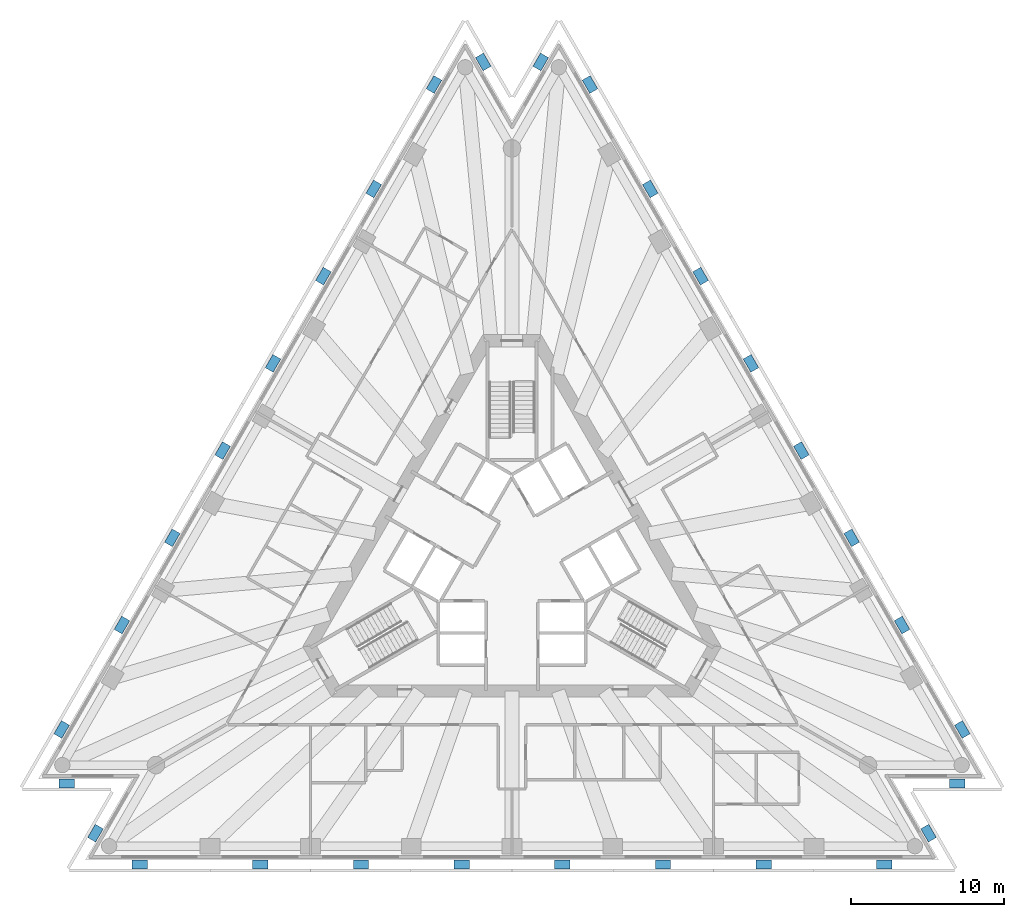
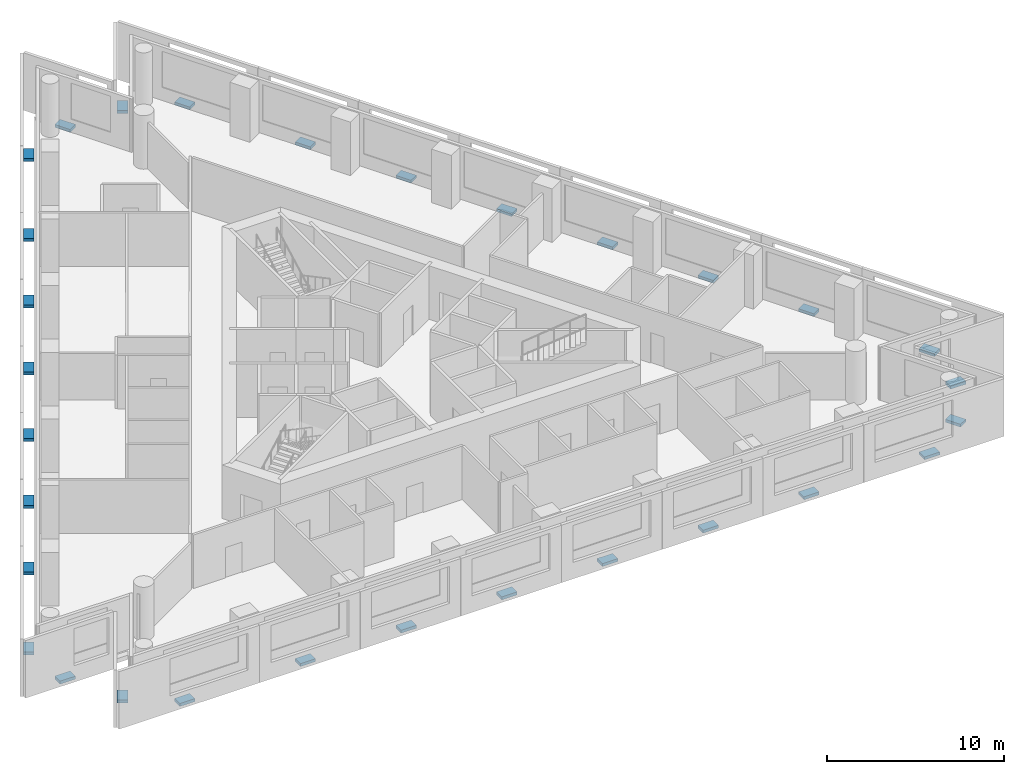
# One storey, part 8 of 10: 30 discrete accessories.
"""IFC4 building model written with IfcOpenShell, lengths in metres."""

import ifcopenshell
import ifcopenshell.guid

model = None  # the IFC model being written
_history = None  # IfcOwnerHistory: only IFC2X3 demands one
_inside = {}  # id of a spatial element -> (the spatial element, [elements in it])
_under = {}  # id of a project, library or spatial element -> (it, [spatial elements below it])
_declared = {}  # id of a project -> (the project, [libraries it declares])
_typed = {}  # id of a type object -> (the type object, [elements of that type])
_made_of = {}  # id of a material, layer set ... -> (it, [elements and type objects made of it])


def new_model(schema):
    """Start an empty IFC model of exactly this schema.

    Asked for "IFC4X3", IfcOpenShell would pick the latest addendum, in which some entities
    have other attributes; the version numbers below select the first issue.
    IFC2X3 requires an IfcOwnerHistory on every rooted entity: one is made here for all.
    """
    global model, _history
    if schema == "IFC4X3":
        model = ifcopenshell.file(schema_version=(4, 3, 0, 0))
    else:
        model = ifcopenshell.file(schema=schema)
    _inside.clear()
    _under.clear()
    _declared.clear()
    _typed.clear()
    _made_of.clear()
    _history = None
    if model.schema == "IFC2X3":
        org = make("IfcOrganization", Name="unknown")
        user = make(
            "IfcPersonAndOrganization",
            ThePerson=make("IfcPerson", FamilyName="unknown"),
            TheOrganization=org,
        )
        app = make(
            "IfcApplication",
            ApplicationDeveloper=org,
            Version="unknown",
            ApplicationFullName="unknown",
            ApplicationIdentifier="unknown",
        )
        _history = make(
            "IfcOwnerHistory",
            OwningUser=user,
            OwningApplication=app,
            ChangeAction="ADDED",
            CreationDate=0,
        )
    return model


def make(cls, **values):
    """One entity of the class cls with the attributes given. An attribute that is None is left unset."""
    return model.create_entity(
        cls, **{name: value for name, value in values.items() if value is not None}
    )


def rooted(cls, **values):
    """An entity with a GlobalId (a new one), such as an element, a storey or a relation."""
    return make(cls, GlobalId=ifcopenshell.guid.new(), OwnerHistory=_history, **values)


def si_unit(unit_type, name, prefix=None):
    """IfcSIUnit, for example si_unit("LENGTHUNIT", "METRE", prefix="MILLI")."""
    return make("IfcSIUnit", UnitType=unit_type, Prefix=prefix, Name=name)


def assignment(units):
    """IfcUnitAssignment: the units of a project."""
    return None if units is None else make("IfcUnitAssignment", Units=units)


def point(xyz):
    """IfcCartesianPoint."""
    return None if xyz is None else make("IfcCartesianPoint", Coordinates=xyz)


def direction(xyz):
    """IfcDirection."""
    return None if xyz is None else make("IfcDirection", DirectionRatios=xyz)


def frame(location, z_axis=None, x_axis=None):
    """IfcAxis2Placement3D, a coordinate frame: its origin and axes. An axis left out is left unset."""
    return make(
        "IfcAxis2Placement3D",
        Location=point(location),
        Axis=direction(z_axis),
        RefDirection=direction(x_axis),
    )


def frame_2d(location, x_axis=None):
    """IfcAxis2Placement2D, a coordinate frame in the plane: its origin and x axis."""
    return make(
        "IfcAxis2Placement2D", Location=point(location), RefDirection=direction(x_axis)
    )


def origin():
    """The frame at (0, 0, 0) with its axes left unset."""
    return frame((0.0, 0.0, 0.0))


def origin_2d():
    """The frame at (0, 0) in the plane with its x axis left unset."""
    return frame_2d((0.0, 0.0))


def place(relative_to, where):
    """IfcLocalPlacement: puts the frame where relative to a parent placement (None: the world)."""
    return make(
        "IfcLocalPlacement", PlacementRelTo=relative_to, RelativePlacement=where
    )


def context(
    kind, dimensions, precision=None, world=None, true_north=None, identifier=None
):
    """IfcGeometricRepresentationContext, for example the 3D "Model" context."""
    return make(
        "IfcGeometricRepresentationContext",
        ContextIdentifier=identifier,
        ContextType=kind,
        CoordinateSpaceDimension=dimensions,
        Precision=precision,
        WorldCoordinateSystem=world,
        TrueNorth=true_north,
    )


def subcontext(parent, identifier, kind, view, scale=None):
    """IfcGeometricRepresentationSubContext, for example "Body" below "Model"."""
    return make(
        "IfcGeometricRepresentationSubContext",
        ContextIdentifier=identifier,
        ContextType=kind,
        ParentContext=parent,
        TargetScale=scale,
        TargetView=view,
    )


def project(units=None, contexts=None):
    """IfcProject with its units and contexts."""
    return rooted(
        "IfcProject",
        Name="project",
        RepresentationContexts=contexts,
        UnitsInContext=assignment(units),
    )


def spatial(cls, under=None, at=None, **own):
    """A site, building, storey or space (cls), placed at a placement, below another one or the project."""
    s = rooted(cls, ObjectPlacement=at, **own)
    if under is not None:
        _under.setdefault(under.id(), (under, []))[1].append(s)
    return s


def profile(cls, at=None, kind="AREA", **sizes):
    """A parametric profile (cls). Its sizes go by their IFC names, for example OverallWidth=200.0."""
    return make(cls, ProfileType=kind, Position=at, **sizes)


def rectangle(**sizes):
    """IfcRectangleProfileDef."""
    return profile("IfcRectangleProfileDef", **sizes)


def extrude(swept, where, along, depth):
    """IfcExtrudedAreaSolid: the profile swept, set in the frame where, extruded along a direction by depth."""
    return make(
        "IfcExtrudedAreaSolid",
        SweptArea=swept,
        Position=where,
        ExtrudedDirection=direction(along),
        Depth=depth,
    )


def shape(context_of_items, identifier, shape_type, items):
    """IfcShapeRepresentation: the items that make up one representation, for example the "Body"."""
    return make(
        "IfcShapeRepresentation",
        ContextOfItems=context_of_items,
        RepresentationIdentifier=identifier,
        RepresentationType=shape_type,
        Items=items,
    )


def material(Name=None, Category=None):
    """IfcMaterial."""
    return make("IfcMaterial", Name=Name, Category=Category)


def made_of(thing, what):
    """Note that an element or type object is made of a material, layer set ...; save() writes the relation."""
    if what is not None:
        _made_of.setdefault(what.id(), (what, []))[1].append(thing)
    return thing


def type_object(cls, material=None, **own):
    """A type object (cls), such as IfcWallType, which elements share."""
    return made_of(rooted(cls, **own), material)


def element(
    cls,
    number,
    at=None,
    inside=None,
    cuts=None,
    type_object=None,
    material=None,
    context=None,
    identifier="Body",
    shape_type=None,
    held_by="IfcProductDefinitionShape",
    body=None,
    shapes=None,
    **own,
):
    """One element of the class cls, such as IfcWall. Its Tag is "e" and its number.

    at: its placement. inside: the storey or other place that contains it. cuts: it is an
    opening in that element (IfcRelVoidsElement). A single representation is given by context,
    identifier, shape_type and body (its items); several are given by shapes. held_by: the class
    of the entity that holds the representations. save() writes the other relations.
    """
    e = rooted(cls, Tag="e%d" % number, ObjectPlacement=at, **own)
    if body is not None:
        shapes = [shape(context, identifier, shape_type, body)]
    if shapes is not None:
        e.Representation = make(held_by, Representations=shapes)
    if inside is not None:
        _inside.setdefault(inside.id(), (inside, []))[1].append(e)
    if cuts is not None:
        rooted(
            "IfcRelVoidsElement", RelatingBuildingElement=cuts, RelatedOpeningElement=e
        )
    if type_object is not None:
        _typed.setdefault(type_object.id(), (type_object, []))[1].append(e)
    return made_of(e, material)


def aggregate(whole, parts):
    """IfcRelAggregates: a whole, such as a stair, and the parts it consists of."""
    return rooted("IfcRelAggregates", RelatingObject=whole, RelatedObjects=parts)


def save(model, path):
    """Write the relations noted so far, then the file.

    IfcRelAggregates (storeys below a building ...), IfcRelContainedInSpatialStructure (elements
    in a storey), IfcRelDefinesByType, IfcRelAssociatesMaterial and IfcRelDeclares: one each for
    every whole, place, type object, material and project.
    """
    for whole, parts in _under.values():
        aggregate(whole, parts)
    for where, things in _inside.values():
        rooted(
            "IfcRelContainedInSpatialStructure",
            RelatedElements=things,
            RelatingStructure=where,
        )
    for kind, things in _typed.values():
        rooted("IfcRelDefinesByType", RelatedObjects=things, RelatingType=kind)
    for what, things in _made_of.values():
        rooted("IfcRelAssociatesMaterial", RelatedObjects=things, RelatingMaterial=what)
    for by, libraries in _declared.values():
        rooted("IfcRelDeclares", RelatingContext=by, RelatedDefinitions=libraries)
    model.write(path)


model = new_model("IFC4")

# Units and contexts
model_context = context("Model", 3, precision=1e-05, world=origin(), true_north=direction((0.0, 1.0)))
body_context = subcontext(model_context, "Body", "Model", "MODEL_VIEW")
ifc_project = project(units=[si_unit("LENGTHUNIT", "METRE"), si_unit("AREAUNIT", "SQUARE_METRE"), si_unit("VOLUMEUNIT", "CUBIC_METRE"), si_unit("PLANEANGLEUNIT", "RADIAN"), si_unit("MASSUNIT", "GRAM", prefix="KILO")], contexts=[model_context])

# Site, building, storey
site_placement = place(None, origin())
site = spatial("IfcSite", under=ifc_project, at=site_placement, CompositionType="ELEMENT")
building_placement = place(site_placement, origin())
building = spatial("IfcBuilding", under=site, at=building_placement, Name="Triada Interchange Tower", CompositionType="ELEMENT")
storey_placement = place(building_placement, frame((0.0, 0.0, 152.300048828125)))
storey = spatial("IfcBuildingStorey", under=building, at=storey_placement, Name="L35", CompositionType="ELEMENT", Elevation=152.300048828125)

# Discrete accessories
ifc_material = material(Name="Steel S355", Category="steel")
discrete_accessory_type = type_object("IfcDiscreteAccessoryType", Name="Steel bracket outer skin", PredefinedType="BRACKET", material=ifc_material)
for number, where, z_axis, x_axis, name in (
    (1, (-5.09912109375, 31.06103515625, -0.27001953125), (0.0, 0.0, 1.0), (-0.866035788307, 0.499982013048, 0.0), "Bracket L35 01"),
    (2, (-9.0419921875, 24.23193359375, -0.27001953125), (0.0, 0.0, 1.0), (-0.866035788307, 0.499982013048, 0.0), "Bracket L35 02"),
    (3, (-12.333984375, 18.529052734375, -0.27001953125), (0.0, 0.0, 1.0), (-0.866035788307, 0.499982013048, 0.0), "Bracket L35 03"),
    (4, (-15.626953125, 12.824951171875, -0.27001953125), (0.0, 0.0, 1.0), (-0.866035788307, 0.499982013048, 0.0), "Bracket L35 04"),
    (5, (-18.919921875, 7.12109375, -0.27001953125), (0.0, 0.0, 1.0), (-0.866035788307, 0.499982013048, 0.0), "Bracket L35 05"),
    (6, (-22.212890625, 1.4169921875, -0.27001953125), (0.0, 0.0, 1.0), (-0.866035788307, 0.499982013048, 0.0), "Bracket L35 06"),
    (7, (-25.506103515625, -4.285888671875, -0.27001953125), (0.0, 0.0, 1.0), (-0.866035788307, 0.499982013048, 0.0), "Bracket L35 07"),
    (8, (-29.447998046875, -11.114990234375, -0.27001953125), (0.0, 0.0, 1.0), (-0.866035788307, 0.499982013048, 0.0), "Bracket L35 08"),
    (9, (-29.114990234375, -14.64208984375, -0.27001953125), (0.0, 0.0, 1.0), (0.0, -1.0, 0.0), "Bracket L35 09"),
    (10, (-27.238037109375, -17.89404296875, -0.27001953125), (0.0, 0.0, 1.0), (-0.865973493026, 0.500089901294, 0.0), "Bracket L35 10"),
    (11, (-24.35009765625, -19.946044921875, -0.27001953125), (0.0, 0.0, 1.0), (0.0, -1.0, 0.0), "Bracket L35 11"),
    (12, (-16.465087890625, -19.946044921875, -0.27001953125), (0.0, 0.0, 1.0), (0.0, -1.0, 0.0), "Bracket L35 12"),
    (13, (-9.87890625, -19.946044921875, -0.27001953125), (0.0, 0.0, 1.0), (0.0, -1.0, 0.0), "Bracket L35 13"),
    (14, (-3.29296875, -19.946044921875, -0.27001953125), (0.0, 0.0, 1.0), (0.0, -1.0, 0.0), "Bracket L35 14"),
    (15, (3.29296875, -19.946044921875, -0.27001953125), (0.0, 0.0, 1.0), (0.0, -1.0, 0.0), "Bracket L35 15"),
    (16, (9.87890625, -19.946044921875, -0.27001953125), (0.0, 0.0, 1.0), (0.0, -1.0, 0.0), "Bracket L35 16"),
    (17, (16.465087890625, -19.946044921875, -0.27001953125), (0.0, 0.0, 1.0), (0.0, -1.0, 0.0), "Bracket L35 17"),
    (18, (24.35009765625, -19.946044921875, -0.27001953125), (0.0, 0.0, 1.0), (0.0, -1.0, 0.0), "Bracket L35 18"),
    (19, (27.238037109375, -17.89404296875, -0.27001953125), (0.0, 0.0, 1.0), (0.865973493026, 0.500089901294, 0.0), "Bracket L35 19"),
    (20, (29.114990234375, -14.64208984375, -0.27001953125), (0.0, 0.0, 1.0), (0.0, -1.0, 0.0), "Bracket L35 20"),
    (21, (29.447998046875, -11.114990234375, -0.27001953125), (0.0, 0.0, 1.0), (0.866035788307, 0.499982013048, 0.0), "Bracket L35 21"),
    (22, (25.506103515625, -4.285888671875, -0.27001953125), (0.0, 0.0, 1.0), (0.866035788307, 0.499982013048, 0.0), "Bracket L35 22"),
    (23, (22.212890625, 1.4169921875, -0.27001953125), (0.0, 0.0, 1.0), (0.866035788307, 0.499982013048, 0.0), "Bracket L35 23"),
    (24, (18.919921875, 7.12109375, -0.27001953125), (0.0, 0.0, 1.0), (0.866035788307, 0.499982013048, 0.0), "Bracket L35 24"),
    (25, (15.626953125, 12.824951171875, -0.27001953125), (0.0, 0.0, 1.0), (0.866035788307, 0.499982013048, 0.0), "Bracket L35 25"),
    (26, (12.333984375, 18.529052734375, -0.27001953125), (0.0, 0.0, 1.0), (0.866035788307, 0.499982013048, 0.0), "Bracket L35 26"),
    (27, (9.0419921875, 24.23193359375, -0.27001953125), (0.0, 0.0, 1.0), (0.866035788307, 0.499982013048, 0.0), "Bracket L35 27"),
    (28, (5.09912109375, 31.06103515625, -0.27001953125), (0.0, 0.0, 1.0), (0.866035788307, 0.499982013048, 0.0), "Bracket L35 28"),
    (29, (1.8779296875, 32.534912109375, -0.27001953125), (0.0, 0.0, 1.0), (-0.866014320731, 0.50001919592, 0.0), "Bracket L35 29"),
    (30, (-1.8779296875, 32.534912109375, -0.27001953125), (0.0, 0.0, 1.0), (0.866014320731, 0.50001919592, 0.0), "Bracket L35 30"),
):
    element("IfcDiscreteAccessory", number, at=place(storey_placement, frame(where, z_axis=z_axis, x_axis=x_axis)), inside=storey, type_object=discrete_accessory_type, Name=name, PredefinedType="BRACKET", context=body_context, shape_type="SweptSolid", body=[
        extrude(rectangle(XDim=0.60009765625, YDim=1.0, at=origin_2d()), origin(), (0.0, 0.0, 1.0), 0.199951171875),
    ])

save(model, "model.ifc")
